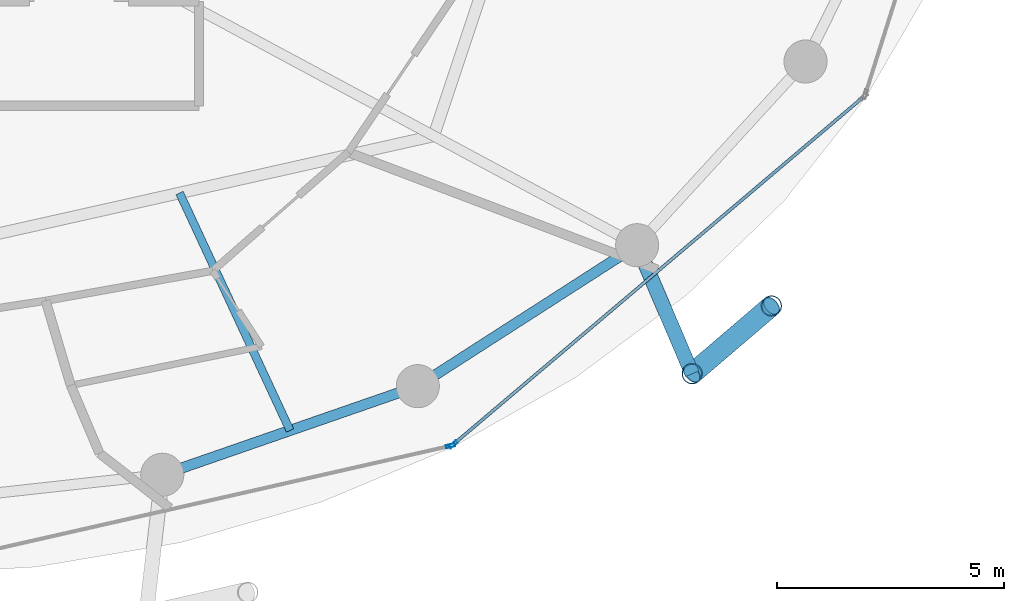
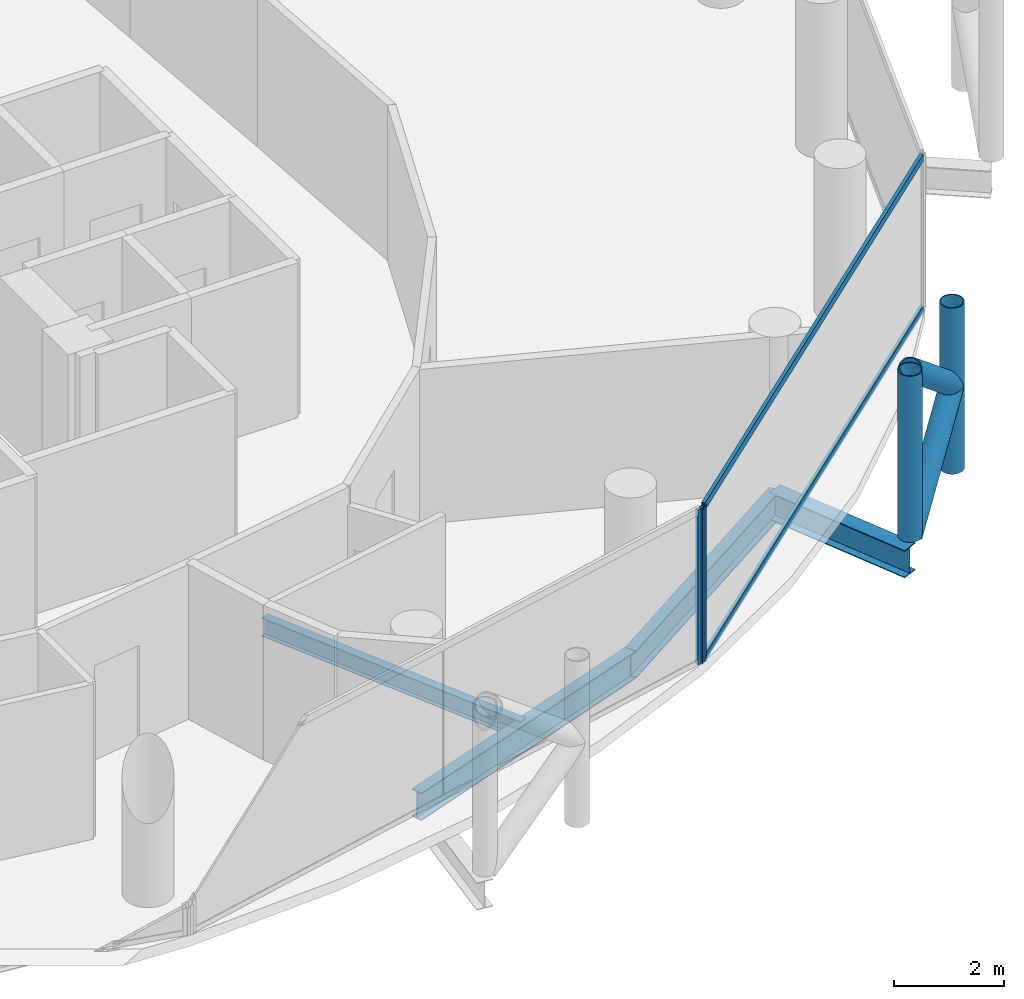
# One storey, part 8 of 26: 8 members, 4 beams, 2 elements without a shape of their own.
"""IFC4 building model written with IfcOpenShell, lengths in metres."""

from ifc_helpers import new_model, si_unit, direction, frame, origin, origin_2d, place, context, subcontext, project, spatial, hollow_rectangle, hollow_circle, i_section, extrude, material, layer, layer_set, material_profile, profile_set, type_object, element, aggregate, save


model = new_model("IFC4")

# Units and contexts
model_context = context("Model", 3, precision=1e-05, world=origin(), true_north=direction((0.0, 1.0)))
body_context = subcontext(model_context, "Body", "Model", "MODEL_VIEW")
ifc_project = project(units=[si_unit("LENGTHUNIT", "METRE"), si_unit("AREAUNIT", "SQUARE_METRE"), si_unit("VOLUMEUNIT", "CUBIC_METRE"), si_unit("PLANEANGLEUNIT", "RADIAN"), si_unit("MASSUNIT", "GRAM", prefix="KILO")], contexts=[model_context])

# Site, building, storey
site_placement = place(None, origin())
site = spatial("IfcSite", under=ifc_project, at=site_placement, CompositionType="ELEMENT")
building_placement = place(site_placement, origin())
building = spatial("IfcBuilding", under=site, at=building_placement, Name="Nuhasar Tower", CompositionType="ELEMENT")
storey_placement = place(building_placement, frame((0.0, 0.0, 140.449951171875)))
storey = spatial("IfcBuildingStorey", under=building, at=storey_placement, Name="L33", CompositionType="ELEMENT", Elevation=140.449951171875)

# Beams
ifc_material_1 = material(Name="Steel S355", Category="steel")
ifc_material_profile_1 = material_profile(ifc_material_1, i_section(OverallWidth=0.177978515625, OverallDepth=0.406005859375, WebThickness=0.0078125, FlangeThickness=0.0126953125, at=origin_2d()), Name="W16X40")
ifc_profile_set_1 = profile_set([ifc_material_profile_1], Name="Steel S355")
beam_type_1 = type_object("IfcBeamType", Name="BM-JST-W16X40", PredefinedType="JOIST", material=ifc_profile_set_1)
beam_1_placement = place(storey_placement, frame((45.424072265625, 14.1279296875, -0.452880859375), z_axis=(0.421729941201, -0.906721487941, 0.0), x_axis=(0.906721487941, 0.421729941201, 0.0)))
element("IfcBeam", 1, at=beam_1_placement, inside=storey, type_object=beam_type_1, Name="L33 Secondary Floor Joist 02", PredefinedType="JOIST", context=body_context, shape_type="SweptSolid", body=[
    extrude(i_section(OverallWidth=0.177978515625, OverallDepth=0.406005859375, WebThickness=0.0078125, FlangeThickness=0.0126953125, at=origin_2d()), origin(), (0.0, 0.0, 1.0), 5.7734375),
])
ifc_material_profile_2 = material_profile(ifc_material_1, i_section(OverallWidth=0.22998046875, OverallDepth=0.616943359375, WebThickness=0.01318359375, FlangeThickness=0.022216796875, at=origin_2d()), Name="W24X94")
ifc_profile_set_2 = profile_set([ifc_material_profile_2], Name="Steel S355")
beam_type_2 = type_object("IfcBeamType", Name="BM-RING-W24X94", PredefinedType="SPANDREL", material=ifc_profile_set_2)
beam_2_placement = place(storey_placement, frame((45.04296875, 7.916015625, -0.558837890625), z_axis=(0.944814057608, 0.327607076458, 0.0), x_axis=(-0.327607076458, 0.944814057608, 0.0)))
element("IfcBeam", 2, at=beam_2_placement, inside=storey, type_object=beam_type_2, Name="L33 Perimeter Ring Spandrel 20", PredefinedType="SPANDREL", context=body_context, shape_type="SweptSolid", body=[
    extrude(i_section(OverallWidth=0.22998046875, OverallDepth=0.616943359375, WebThickness=0.01318359375, FlangeThickness=0.022216796875, at=origin_2d()), origin(), (0.0, 0.0, 1.0), 5.9609375),
])
beam_3_placement = place(storey_placement, frame((50.675048828125, 9.868896484375, -0.558837890625), z_axis=(0.841308170616, 0.540555789955, 0.0), x_axis=(-0.540555789955, 0.841308170616, 0.0)))
element("IfcBeam", 3, at=beam_3_placement, inside=storey, type_object=beam_type_2, Name="L33 Perimeter Ring Spandrel 21", PredefinedType="SPANDREL", context=body_context, shape_type="SweptSolid", body=[
    extrude(i_section(OverallWidth=0.22998046875, OverallDepth=0.616943359375, WebThickness=0.01318359375, FlangeThickness=0.022216796875, at=origin_2d()), origin(), (0.0, 0.0, 1.0), 5.748046875),
])
ifc_material_profile_3 = material_profile(ifc_material_1, i_section(OverallWidth=0.323974609375, OverallDepth=0.611083984375, WebThickness=0.0126953125, FlangeThickness=0.01904296875, at=origin_2d()), Name="W24X104")
ifc_profile_set_3 = profile_set([ifc_material_profile_3], Name="Steel S355")
beam_type_3 = type_object("IfcBeamType", Name="BM-TIE-W24X104", PredefinedType="BEAM", material=ifc_profile_set_3)
beam_4_placement = place(storey_placement, frame((55.510986328125, 12.97607421875, -0.555908203125), z_axis=(0.39330721304, -0.919407111225, 0.0), x_axis=(0.919407111225, 0.39330721304, 0.0)))
element("IfcBeam", 4, at=beam_4_placement, inside=storey, type_object=beam_type_3, Name="L33 Exoskeleton Node Tie Beam 11", PredefinedType="BEAM", context=body_context, shape_type="SweptSolid", body=[
    extrude(i_section(OverallWidth=0.323974609375, OverallDepth=0.611083984375, WebThickness=0.0126953125, FlangeThickness=0.01904296875, at=origin_2d()), origin(), (0.0, 0.0, 1.0), 3.081298828125),
])

# Curtain wall, member
ifc_material_2 = material(Name="Aluminium 6063-T6", Category="aluminium")
ifc_layer = layer(ifc_material_2, 0.199951171875)
ifc_layer_set = layer_set([ifc_layer], Name="Aluminium 6063-T6")
curtain_wall_type = type_object("IfcCurtainWallType", Name="CW-Z2-HTL", PredefinedType="NOTDEFINED", material=ifc_layer_set)
curtain_wall_1_placement = place(storey_placement, origin())
curtain_wall_1 = element("IfcCurtainWall", 5, at=curtain_wall_1_placement, inside=storey, type_object=curtain_wall_type, Name="L33 Unitised Curtain Wall 10", PredefinedType="NOTDEFINED")
ifc_material_profile_4 = material_profile(ifc_material_2, hollow_rectangle(XDim=0.070068359375, YDim=0.199951171875, WallThickness=0.0048828125, at=origin_2d()), Name="CWM-3")
ifc_profile_set_4 = profile_set([ifc_material_profile_4], Name="Aluminium 6063-T6")
member_type_1 = type_object("IfcMemberType", Name="CW-MUL-S3", PredefinedType="MULLION", material=ifc_profile_set_4)
member_1_placement = place(storey_placement, frame((51.395751953125, 8.55419921875, 0.0), z_axis=(0.0, 0.0, 1.0), x_axis=(-0.22139729566, 0.975183694221, 0.0)))
member_1 = element("IfcMember", 6, at=member_1_placement, type_object=member_type_1, Name="CW-Z2 mullion 2", PredefinedType="MULLION", context=body_context, shape_type="SweptSolid", body=[
    extrude(hollow_rectangle(XDim=0.070068359375, YDim=0.199951171875, WallThickness=0.0048828125, at=origin_2d()), origin(), (0.0, 0.0, 1.0), 3.449951171875),
])
aggregate(curtain_wall_1, [member_1])

# Curtain wall, members
curtain_wall_2_placement = place(storey_placement, origin())
curtain_wall_2 = element("IfcCurtainWall", 7, at=curtain_wall_2_placement, inside=storey, type_object=curtain_wall_type, Name="L33 Unitised Curtain Wall 11", PredefinedType="NOTDEFINED")
member_2_placement = place(storey_placement, frame((51.456787109375, 8.584716796875, 0.0), z_axis=(0.0, 0.0, 1.0), x_axis=(-0.646374438324, 0.763020370292, 0.0)))
member_2 = element("IfcMember", 8, at=member_2_placement, type_object=member_type_1, Name="CW-Z2 mullion 1", PredefinedType="MULLION", context=body_context, shape_type="SweptSolid", body=[
    extrude(hollow_rectangle(XDim=0.070068359375, YDim=0.199951171875, WallThickness=0.0048828125, at=origin_2d()), origin(), (0.0, 0.0, 1.0), 3.449951171875),
])
ifc_material_profile_5 = material_profile(ifc_material_2, hollow_rectangle(XDim=0.070068359375, YDim=0.159912109375, WallThickness=0.00439453125, at=origin_2d()), Name="CWT-3")
ifc_profile_set_5 = profile_set([ifc_material_profile_5], Name="Aluminium 6063-T6")
member_type_2 = type_object("IfcMemberType", Name="CW-TRN-S3", PredefinedType="USERDEFINED", material=ifc_profile_set_5)
member_3_placement = place(storey_placement, frame((51.4833984375, 8.607177734375, 0.03515625), z_axis=(0.763013698099, 0.646382314511, 0.0), x_axis=(-0.646382314511, 0.763013698099, 0.0)))
member_3 = element("IfcMember", 9, at=member_3_placement, type_object=member_type_2, Name="CW-Z2 transom 1.1", ObjectType="TRANSOM", PredefinedType="USERDEFINED", context=body_context, shape_type="SweptSolid", body=[
    extrude(hollow_rectangle(XDim=0.070068359375, YDim=0.159912109375, WallThickness=0.00439453125, at=origin_2d()), origin(), (0.0, 0.0, 1.0), 11.78515625),
])
member_4_placement = place(storey_placement, frame((51.4833984375, 8.607177734375, 3.4150390625), z_axis=(0.763013698099, 0.646382314511, 0.0), x_axis=(-0.646382314511, 0.763013698099, 0.0)))
member_4 = element("IfcMember", 10, at=member_4_placement, type_object=member_type_2, Name="CW-Z2 transom 1.2", ObjectType="TRANSOM", PredefinedType="USERDEFINED", context=body_context, shape_type="SweptSolid", body=[
    extrude(hollow_rectangle(XDim=0.070068359375, YDim=0.159912109375, WallThickness=0.00439453125, at=origin_2d()), origin(), (0.0, 0.0, 1.0), 11.78515625),
])
aggregate(curtain_wall_2, [member_2, member_3, member_4])

# Members
ifc_material_3 = material(Name="Steel S460", Category="steel")
ifc_material_profile_6 = material_profile(ifc_material_3, hollow_circle(Radius=0.228515625, WallThickness=0.022216796875, at=origin_2d()), Name="HSS457X22.2")
ifc_profile_set_6 = profile_set([ifc_material_profile_6], Name="Steel S460")
member_type_3 = type_object("IfcMemberType", Name="EXO-BRONZE-457", PredefinedType="BRACE", material=ifc_profile_set_6)
for number, where, z_axis, x_axis, name in (
    (11, (56.722900390625, 10.14306640625, 0.0), (0.0, 0.0, 1.0), (1.0, 0.0, 0.0), "L33 Exoskeleton Chord Column EC-11A"),
    (12, (58.470947265625, 11.637939453125, 0.0), (0.0, 0.0, 1.0), (1.0, 0.0, 0.0), "L33 Exoskeleton Chord Column EC-11B"),
):
    element("IfcMember", number, at=place(storey_placement, frame(where, z_axis=z_axis, x_axis=x_axis)), inside=storey, type_object=member_type_3, Name=name, PredefinedType="BRACE", context=body_context, shape_type="SweptSolid", body=[
        extrude(hollow_circle(Radius=0.228515625, WallThickness=0.022216796875, at=origin_2d()), origin(), (0.0, 0.0, 1.0), 3.699951171875),
    ])
member_5_placement = place(storey_placement, frame((56.722900390625, 10.14306640625, 0.0), z_axis=(0.592195175458, 0.506426125604, 0.626767463634), x_axis=(-0.649925557156, 0.7599978751, 0.0)))
element("IfcMember", 13, at=member_5_placement, inside=storey, type_object=member_type_3, Name="L33 Bronze Diagrid Brace W1-11", PredefinedType="BRACE", context=body_context, shape_type="SweptSolid", body=[
    extrude(hollow_circle(Radius=0.228515625, WallThickness=0.022216796875, at=origin_2d()), origin(), (0.0, 0.0, 1.0), 2.951904296875),
])
member_6_placement = place(storey_placement, frame((58.470947265625, 11.637939453125, 1.85009765625), z_axis=(-0.592225874743, -0.506452378638, 0.626717242029), x_axis=(0.649925557156, -0.7599978751, 0.0)))
element("IfcMember", 14, at=member_6_placement, inside=storey, type_object=member_type_3, Name="L33 Bronze Diagrid Brace W2-11", PredefinedType="BRACE", context=body_context, shape_type="SweptSolid", body=[
    extrude(hollow_circle(Radius=0.228515625, WallThickness=0.022216796875, at=origin_2d()), origin(), (0.0, 0.0, 1.0), 2.95166015625),
])

save(model, "model.ifc")
